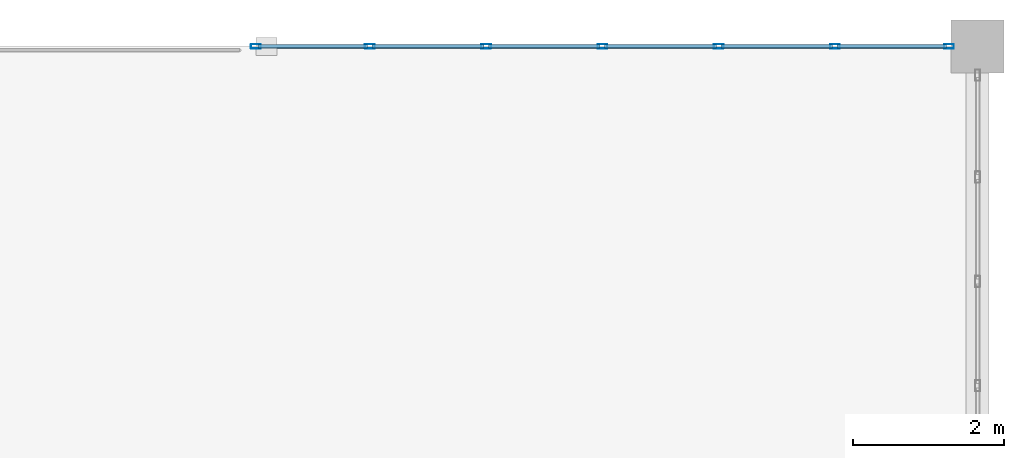
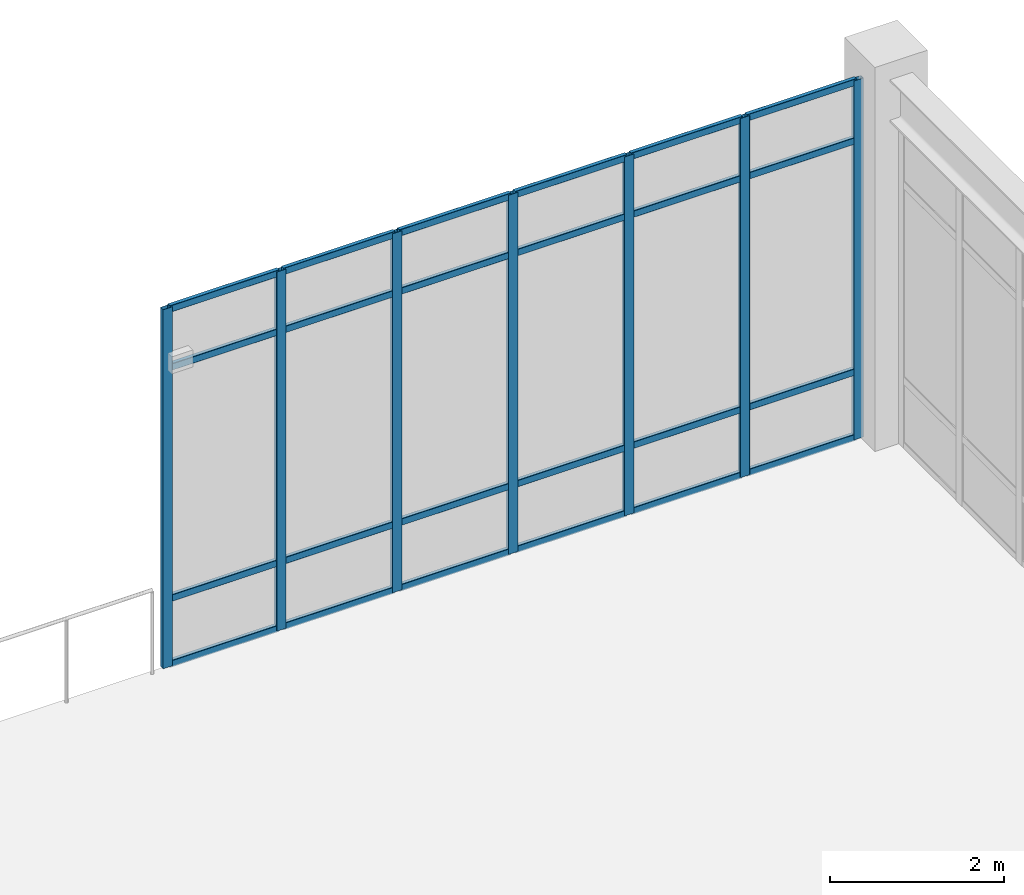
# One storey, part 53 of 80: 31 members, 1 element without a shape of its own.
"""IFC4 building model written with IfcOpenShell, lengths in metres."""

import ifcopenshell
import ifcopenshell.guid

model = None  # the IFC model being written
_history = None  # IfcOwnerHistory: only IFC2X3 demands one
_inside = {}  # id of a spatial element -> (the spatial element, [elements in it])
_under = {}  # id of a project, library or spatial element -> (it, [spatial elements below it])
_declared = {}  # id of a project -> (the project, [libraries it declares])
_typed = {}  # id of a type object -> (the type object, [elements of that type])
_made_of = {}  # id of a material, layer set ... -> (it, [elements and type objects made of it])


def new_model(schema):
    """Start an empty IFC model of exactly this schema.

    Asked for "IFC4X3", IfcOpenShell would pick the latest addendum, in which some entities
    have other attributes; the version numbers below select the first issue.
    IFC2X3 requires an IfcOwnerHistory on every rooted entity: one is made here for all.
    """
    global model, _history
    if schema == "IFC4X3":
        model = ifcopenshell.file(schema_version=(4, 3, 0, 0))
    else:
        model = ifcopenshell.file(schema=schema)
    _inside.clear()
    _under.clear()
    _declared.clear()
    _typed.clear()
    _made_of.clear()
    _history = None
    if model.schema == "IFC2X3":
        org = make("IfcOrganization", Name="unknown")
        user = make(
            "IfcPersonAndOrganization",
            ThePerson=make("IfcPerson", FamilyName="unknown"),
            TheOrganization=org,
        )
        app = make(
            "IfcApplication",
            ApplicationDeveloper=org,
            Version="unknown",
            ApplicationFullName="unknown",
            ApplicationIdentifier="unknown",
        )
        _history = make(
            "IfcOwnerHistory",
            OwningUser=user,
            OwningApplication=app,
            ChangeAction="ADDED",
            CreationDate=0,
        )
    return model


def make(cls, **values):
    """One entity of the class cls with the attributes given. An attribute that is None is left unset."""
    return model.create_entity(
        cls, **{name: value for name, value in values.items() if value is not None}
    )


def rooted(cls, **values):
    """An entity with a GlobalId (a new one), such as an element, a storey or a relation."""
    return make(cls, GlobalId=ifcopenshell.guid.new(), OwnerHistory=_history, **values)


def si_unit(unit_type, name, prefix=None):
    """IfcSIUnit, for example si_unit("LENGTHUNIT", "METRE", prefix="MILLI")."""
    return make("IfcSIUnit", UnitType=unit_type, Prefix=prefix, Name=name)


def assignment(units):
    """IfcUnitAssignment: the units of a project."""
    return None if units is None else make("IfcUnitAssignment", Units=units)


def point(xyz):
    """IfcCartesianPoint."""
    return None if xyz is None else make("IfcCartesianPoint", Coordinates=xyz)


def direction(xyz):
    """IfcDirection."""
    return None if xyz is None else make("IfcDirection", DirectionRatios=xyz)


def frame(location, z_axis=None, x_axis=None):
    """IfcAxis2Placement3D, a coordinate frame: its origin and axes. An axis left out is left unset."""
    return make(
        "IfcAxis2Placement3D",
        Location=point(location),
        Axis=direction(z_axis),
        RefDirection=direction(x_axis),
    )


def frame_2d(location, x_axis=None):
    """IfcAxis2Placement2D, a coordinate frame in the plane: its origin and x axis."""
    return make(
        "IfcAxis2Placement2D", Location=point(location), RefDirection=direction(x_axis)
    )


def origin():
    """The frame at (0, 0, 0) with its axes left unset."""
    return frame((0.0, 0.0, 0.0))


def origin_2d():
    """The frame at (0, 0) in the plane with its x axis left unset."""
    return frame_2d((0.0, 0.0))


def place(relative_to, where):
    """IfcLocalPlacement: puts the frame where relative to a parent placement (None: the world)."""
    return make(
        "IfcLocalPlacement", PlacementRelTo=relative_to, RelativePlacement=where
    )


def context(
    kind, dimensions, precision=None, world=None, true_north=None, identifier=None
):
    """IfcGeometricRepresentationContext, for example the 3D "Model" context."""
    return make(
        "IfcGeometricRepresentationContext",
        ContextIdentifier=identifier,
        ContextType=kind,
        CoordinateSpaceDimension=dimensions,
        Precision=precision,
        WorldCoordinateSystem=world,
        TrueNorth=true_north,
    )


def subcontext(parent, identifier, kind, view, scale=None):
    """IfcGeometricRepresentationSubContext, for example "Body" below "Model"."""
    return make(
        "IfcGeometricRepresentationSubContext",
        ContextIdentifier=identifier,
        ContextType=kind,
        ParentContext=parent,
        TargetScale=scale,
        TargetView=view,
    )


def project(units=None, contexts=None):
    """IfcProject with its units and contexts."""
    return rooted(
        "IfcProject",
        Name="project",
        RepresentationContexts=contexts,
        UnitsInContext=assignment(units),
    )


def spatial(cls, under=None, at=None, **own):
    """A site, building, storey or space (cls), placed at a placement, below another one or the project."""
    s = rooted(cls, ObjectPlacement=at, **own)
    if under is not None:
        _under.setdefault(under.id(), (under, []))[1].append(s)
    return s


def profile(cls, at=None, kind="AREA", **sizes):
    """A parametric profile (cls). Its sizes go by their IFC names, for example OverallWidth=200.0."""
    return make(cls, ProfileType=kind, Position=at, **sizes)


def hollow_rectangle(**sizes):
    """IfcRectangleHollowProfileDef."""
    return profile("IfcRectangleHollowProfileDef", **sizes)


def extrude(swept, where, along, depth):
    """IfcExtrudedAreaSolid: the profile swept, set in the frame where, extruded along a direction by depth."""
    return make(
        "IfcExtrudedAreaSolid",
        SweptArea=swept,
        Position=where,
        ExtrudedDirection=direction(along),
        Depth=depth,
    )


def shape(context_of_items, identifier, shape_type, items):
    """IfcShapeRepresentation: the items that make up one representation, for example the "Body"."""
    return make(
        "IfcShapeRepresentation",
        ContextOfItems=context_of_items,
        RepresentationIdentifier=identifier,
        RepresentationType=shape_type,
        Items=items,
    )


def material(Name=None, Category=None):
    """IfcMaterial."""
    return make("IfcMaterial", Name=Name, Category=Category)


def material_profile(
    of_material, cross_section, Name=None, Category=None, Priority=None
):
    """IfcMaterialProfile: a cross section and its material."""
    return make(
        "IfcMaterialProfile",
        Name=Name,
        Material=of_material,
        Profile=cross_section,
        Priority=Priority,
        Category=Category,
    )


def profile_set(profiles, Name=None, composite=None):
    """IfcMaterialProfileSet."""
    return make(
        "IfcMaterialProfileSet",
        Name=Name,
        MaterialProfiles=profiles,
        CompositeProfile=composite,
    )


def made_of(thing, what):
    """Note that an element or type object is made of a material, layer set ...; save() writes the relation."""
    if what is not None:
        _made_of.setdefault(what.id(), (what, []))[1].append(thing)
    return thing


def type_object(cls, material=None, **own):
    """A type object (cls), such as IfcWallType, which elements share."""
    return made_of(rooted(cls, **own), material)


def element(
    cls,
    number,
    at=None,
    inside=None,
    cuts=None,
    type_object=None,
    material=None,
    context=None,
    identifier="Body",
    shape_type=None,
    held_by="IfcProductDefinitionShape",
    body=None,
    shapes=None,
    **own,
):
    """One element of the class cls, such as IfcWall. Its Tag is "e" and its number.

    at: its placement. inside: the storey or other place that contains it. cuts: it is an
    opening in that element (IfcRelVoidsElement). A single representation is given by context,
    identifier, shape_type and body (its items); several are given by shapes. held_by: the class
    of the entity that holds the representations. save() writes the other relations.
    """
    e = rooted(cls, Tag="e%d" % number, ObjectPlacement=at, **own)
    if body is not None:
        shapes = [shape(context, identifier, shape_type, body)]
    if shapes is not None:
        e.Representation = make(held_by, Representations=shapes)
    if inside is not None:
        _inside.setdefault(inside.id(), (inside, []))[1].append(e)
    if cuts is not None:
        rooted(
            "IfcRelVoidsElement", RelatingBuildingElement=cuts, RelatedOpeningElement=e
        )
    if type_object is not None:
        _typed.setdefault(type_object.id(), (type_object, []))[1].append(e)
    return made_of(e, material)


def aggregate(whole, parts):
    """IfcRelAggregates: a whole, such as a stair, and the parts it consists of."""
    return rooted("IfcRelAggregates", RelatingObject=whole, RelatedObjects=parts)


def save(model, path):
    """Write the relations noted so far, then the file.

    IfcRelAggregates (storeys below a building ...), IfcRelContainedInSpatialStructure (elements
    in a storey), IfcRelDefinesByType, IfcRelAssociatesMaterial and IfcRelDeclares: one each for
    every whole, place, type object, material and project.
    """
    for whole, parts in _under.values():
        aggregate(whole, parts)
    for where, things in _inside.values():
        rooted(
            "IfcRelContainedInSpatialStructure",
            RelatedElements=things,
            RelatingStructure=where,
        )
    for kind, things in _typed.values():
        rooted("IfcRelDefinesByType", RelatedObjects=things, RelatingType=kind)
    for what, things in _made_of.values():
        rooted("IfcRelAssociatesMaterial", RelatedObjects=things, RelatingMaterial=what)
    for by, libraries in _declared.values():
        rooted("IfcRelDeclares", RelatingContext=by, RelatedDefinitions=libraries)
    model.write(path)


model = new_model("IFC4")

# Units and contexts
model_context = context("Model", 3, precision=1e-05, world=origin(), true_north=direction((0.0, 1.0)))
body_context = subcontext(model_context, "Body", "Model", "MODEL_VIEW")
ifc_project = project(units=[si_unit("LENGTHUNIT", "METRE"), si_unit("AREAUNIT", "SQUARE_METRE"), si_unit("VOLUMEUNIT", "CUBIC_METRE"), si_unit("PLANEANGLEUNIT", "RADIAN"), si_unit("MASSUNIT", "GRAM", prefix="KILO")], contexts=[model_context])

# Site, building, storey
site_placement = place(None, origin())
site = spatial("IfcSite", under=ifc_project, at=site_placement, CompositionType="ELEMENT")
building_placement = place(site_placement, origin())
building = spatial("IfcBuilding", under=site, at=building_placement, Name="Canglan Escarpment Cableway Terminal", CompositionType="ELEMENT")
storey_placement = place(building_placement, frame((0.0, 0.0, 19.199951171875)))
storey = spatial("IfcBuildingStorey", under=building, at=storey_placement, Name="L04", CompositionType="ELEMENT", Elevation=19.199951171875)

# Curtain wall, members
ifc_material_1 = material(Name="Anodized bronze aluminium and Low-E double glazing", Category="aluminium")
curtain_wall_type = type_object("IfcCurtainWallType", Name="CW-BAY-9250x5050", PredefinedType="NOTDEFINED", material=ifc_material_1)
curtain_wall_placement = place(storey_placement, origin())
curtain_wall = element("IfcCurtainWall", 1, at=curtain_wall_placement, inside=storey, type_object=curtain_wall_type, Name="Classical bay-between-piers glazed curtain wall CW-40", PredefinedType="NOTDEFINED")
ifc_material_2 = material(Name="Thermally broken anodized aluminium 6063-T6", Category="aluminium")
ifc_material_profile_1 = material_profile(ifc_material_2, hollow_rectangle(XDim=0.06005859375, YDim=0.1298828125, WallThickness=0.0029296875, InnerFilletRadius=0.0029296875, OuterFilletRadius=0.006103515625, at=origin_2d()), Name="ALU-MULL 60x130x3")
ifc_profile_set_1 = profile_set([ifc_material_profile_1], Name="Thermally broken anodized aluminium 6063-T6")
member_type_1 = type_object("IfcMemberType", Name="CWM-01", PredefinedType="MULLION", material=ifc_profile_set_1)
member_1_placement = place(storey_placement, frame((166.02001953125, 124.0, 0.0), z_axis=(0.0, 0.0, 1.0), x_axis=(0.0, -1.0, 0.0)))
member_1 = element("IfcMember", 2, at=member_1_placement, type_object=member_type_1, Name="CW-40 mullion 1", PredefinedType="MULLION", context=body_context, shape_type="SweptSolid", body=[
    extrude(hollow_rectangle(XDim=0.06005859375, YDim=0.1298828125, WallThickness=0.0029296875, InnerFilletRadius=0.0029296875, OuterFilletRadius=0.006103515625, at=origin_2d()), origin(), (0.0, 0.0, 1.0), 5.050048828125),
])
member_2_placement = place(storey_placement, frame((164.50830078125, 124.0, 0.0), z_axis=(0.0, 0.0, 1.0), x_axis=(0.0, -1.0, 0.0)))
member_2 = element("IfcMember", 3, at=member_2_placement, type_object=member_type_1, Name="CW-40 mullion 2", PredefinedType="MULLION", context=body_context, shape_type="SweptSolid", body=[
    extrude(hollow_rectangle(XDim=0.06005859375, YDim=0.1298828125, WallThickness=0.0029296875, InnerFilletRadius=0.0029296875, OuterFilletRadius=0.006103515625, at=origin_2d()), origin(), (0.0, 0.0, 1.0), 5.050048828125),
])
member_3_placement = place(storey_placement, frame((162.966552734375, 124.0, 0.0), z_axis=(0.0, 0.0, 1.0), x_axis=(0.0, -1.0, 0.0)))
member_3 = element("IfcMember", 4, at=member_3_placement, type_object=member_type_1, Name="CW-40 mullion 3", PredefinedType="MULLION", context=body_context, shape_type="SweptSolid", body=[
    extrude(hollow_rectangle(XDim=0.06005859375, YDim=0.1298828125, WallThickness=0.0029296875, InnerFilletRadius=0.0029296875, OuterFilletRadius=0.006103515625, at=origin_2d()), origin(), (0.0, 0.0, 1.0), 5.050048828125),
])
member_4_placement = place(storey_placement, frame((161.425048828125, 124.0, 0.0), z_axis=(0.0, 0.0, 1.0), x_axis=(0.0, -1.0, 0.0)))
member_4 = element("IfcMember", 5, at=member_4_placement, type_object=member_type_1, Name="CW-40 mullion 4", PredefinedType="MULLION", context=body_context, shape_type="SweptSolid", body=[
    extrude(hollow_rectangle(XDim=0.06005859375, YDim=0.1298828125, WallThickness=0.0029296875, InnerFilletRadius=0.0029296875, OuterFilletRadius=0.006103515625, at=origin_2d()), origin(), (0.0, 0.0, 1.0), 5.050048828125),
])
member_5_placement = place(storey_placement, frame((159.88330078125, 124.0, 0.0), z_axis=(0.0, 0.0, 1.0), x_axis=(0.0, -1.0, 0.0)))
member_5 = element("IfcMember", 6, at=member_5_placement, type_object=member_type_1, Name="CW-40 mullion 5", PredefinedType="MULLION", context=body_context, shape_type="SweptSolid", body=[
    extrude(hollow_rectangle(XDim=0.06005859375, YDim=0.1298828125, WallThickness=0.0029296875, InnerFilletRadius=0.0029296875, OuterFilletRadius=0.006103515625, at=origin_2d()), origin(), (0.0, 0.0, 1.0), 5.050048828125),
])
member_6_placement = place(storey_placement, frame((158.341552734375, 124.0, 0.0), z_axis=(0.0, 0.0, 1.0), x_axis=(0.0, -1.0, 0.0)))
member_6 = element("IfcMember", 7, at=member_6_placement, type_object=member_type_1, Name="CW-40 mullion 6", PredefinedType="MULLION", context=body_context, shape_type="SweptSolid", body=[
    extrude(hollow_rectangle(XDim=0.06005859375, YDim=0.1298828125, WallThickness=0.0029296875, InnerFilletRadius=0.0029296875, OuterFilletRadius=0.006103515625, at=origin_2d()), origin(), (0.0, 0.0, 1.0), 5.050048828125),
])
member_7_placement = place(storey_placement, frame((156.830078125, 124.0, 0.0), z_axis=(0.0, 0.0, 1.0), x_axis=(0.0, -1.0, 0.0)))
member_7 = element("IfcMember", 8, at=member_7_placement, type_object=member_type_1, Name="CW-40 mullion 7", PredefinedType="MULLION", context=body_context, shape_type="SweptSolid", body=[
    extrude(hollow_rectangle(XDim=0.06005859375, YDim=0.1298828125, WallThickness=0.0029296875, InnerFilletRadius=0.0029296875, OuterFilletRadius=0.006103515625, at=origin_2d()), origin(), (0.0, 0.0, 1.0), 5.050048828125),
])
ifc_material_profile_2 = material_profile(ifc_material_2, hollow_rectangle(XDim=0.054931640625, YDim=0.094970703125, WallThickness=0.0029296875, InnerFilletRadius=0.0029296875, OuterFilletRadius=0.006103515625, at=origin_2d()), Name="ALU-TRAN 55x95x3")
ifc_profile_set_2 = profile_set([ifc_material_profile_2], Name="Thermally broken anodized aluminium 6063-T6")
member_type_2 = type_object("IfcMemberType", Name="CWT-01", PredefinedType="USERDEFINED", material=ifc_profile_set_2)
member_8_placement = place(storey_placement, frame((165.989990234375, 124.0, 0.027587890625), z_axis=(-1.0, 0.0, 0.0), x_axis=(0.0, -1.0, 0.0)))
member_8 = element("IfcMember", 9, at=member_8_placement, type_object=member_type_2, Name="CW-40 transom 1.1", ObjectType="TRANSOM", PredefinedType="USERDEFINED", context=body_context, shape_type="SweptSolid", body=[
    extrude(hollow_rectangle(XDim=0.054931640625, YDim=0.094970703125, WallThickness=0.0029296875, InnerFilletRadius=0.0029296875, OuterFilletRadius=0.006103515625, at=origin_2d()), origin(), (0.0, 0.0, 1.0), 1.45166015625),
])
member_9_placement = place(storey_placement, frame((165.989990234375, 124.0, 0.949951171875), z_axis=(-1.0, 0.0, 0.0), x_axis=(0.0, -1.0, 0.0)))
member_9 = element("IfcMember", 10, at=member_9_placement, type_object=member_type_2, Name="CW-40 transom 1.2", ObjectType="TRANSOM", PredefinedType="USERDEFINED", context=body_context, shape_type="SweptSolid", body=[
    extrude(hollow_rectangle(XDim=0.054931640625, YDim=0.094970703125, WallThickness=0.0029296875, InnerFilletRadius=0.0029296875, OuterFilletRadius=0.006103515625, at=origin_2d()), origin(), (0.0, 0.0, 1.0), 1.45166015625),
])
member_10_placement = place(storey_placement, frame((165.989990234375, 124.0, 4.199951171875), z_axis=(-1.0, 0.0, 0.0), x_axis=(0.0, -1.0, 0.0)))
member_10 = element("IfcMember", 11, at=member_10_placement, type_object=member_type_2, Name="CW-40 transom 1.3", ObjectType="TRANSOM", PredefinedType="USERDEFINED", context=body_context, shape_type="SweptSolid", body=[
    extrude(hollow_rectangle(XDim=0.054931640625, YDim=0.094970703125, WallThickness=0.0029296875, InnerFilletRadius=0.0029296875, OuterFilletRadius=0.006103515625, at=origin_2d()), origin(), (0.0, 0.0, 1.0), 1.45166015625),
])
member_11_placement = place(storey_placement, frame((165.989990234375, 124.0, 5.0224609375), z_axis=(-1.0, 0.0, 0.0), x_axis=(0.0, -1.0, 0.0)))
member_11 = element("IfcMember", 12, at=member_11_placement, type_object=member_type_2, Name="CW-40 transom 1.4", ObjectType="TRANSOM", PredefinedType="USERDEFINED", context=body_context, shape_type="SweptSolid", body=[
    extrude(hollow_rectangle(XDim=0.054931640625, YDim=0.094970703125, WallThickness=0.0029296875, InnerFilletRadius=0.0029296875, OuterFilletRadius=0.006103515625, at=origin_2d()), origin(), (0.0, 0.0, 1.0), 1.45166015625),
])
member_12_placement = place(storey_placement, frame((164.478271484375, 124.0, 0.027587890625), z_axis=(-1.0, 0.0, 0.0), x_axis=(0.0, -1.0, 0.0)))
member_12 = element("IfcMember", 13, at=member_12_placement, type_object=member_type_2, Name="CW-40 transom 2.1", ObjectType="TRANSOM", PredefinedType="USERDEFINED", context=body_context, shape_type="SweptSolid", body=[
    extrude(hollow_rectangle(XDim=0.054931640625, YDim=0.094970703125, WallThickness=0.0029296875, InnerFilletRadius=0.0029296875, OuterFilletRadius=0.006103515625, at=origin_2d()), origin(), (0.0, 0.0, 1.0), 1.481689453125),
])
member_13_placement = place(storey_placement, frame((164.478271484375, 124.0, 0.949951171875), z_axis=(-1.0, 0.0, 0.0), x_axis=(0.0, -1.0, 0.0)))
member_13 = element("IfcMember", 14, at=member_13_placement, type_object=member_type_2, Name="CW-40 transom 2.2", ObjectType="TRANSOM", PredefinedType="USERDEFINED", context=body_context, shape_type="SweptSolid", body=[
    extrude(hollow_rectangle(XDim=0.054931640625, YDim=0.094970703125, WallThickness=0.0029296875, InnerFilletRadius=0.0029296875, OuterFilletRadius=0.006103515625, at=origin_2d()), origin(), (0.0, 0.0, 1.0), 1.481689453125),
])
member_14_placement = place(storey_placement, frame((164.478271484375, 124.0, 4.199951171875), z_axis=(-1.0, 0.0, 0.0), x_axis=(0.0, -1.0, 0.0)))
member_14 = element("IfcMember", 15, at=member_14_placement, type_object=member_type_2, Name="CW-40 transom 2.3", ObjectType="TRANSOM", PredefinedType="USERDEFINED", context=body_context, shape_type="SweptSolid", body=[
    extrude(hollow_rectangle(XDim=0.054931640625, YDim=0.094970703125, WallThickness=0.0029296875, InnerFilletRadius=0.0029296875, OuterFilletRadius=0.006103515625, at=origin_2d()), origin(), (0.0, 0.0, 1.0), 1.481689453125),
])
member_15_placement = place(storey_placement, frame((164.478271484375, 124.0, 5.0224609375), z_axis=(-1.0, 0.0, 0.0), x_axis=(0.0, -1.0, 0.0)))
member_15 = element("IfcMember", 16, at=member_15_placement, type_object=member_type_2, Name="CW-40 transom 2.4", ObjectType="TRANSOM", PredefinedType="USERDEFINED", context=body_context, shape_type="SweptSolid", body=[
    extrude(hollow_rectangle(XDim=0.054931640625, YDim=0.094970703125, WallThickness=0.0029296875, InnerFilletRadius=0.0029296875, OuterFilletRadius=0.006103515625, at=origin_2d()), origin(), (0.0, 0.0, 1.0), 1.481689453125),
])
member_16_placement = place(storey_placement, frame((162.936767578125, 124.0, 0.027587890625), z_axis=(-1.0, 0.0, 0.0), x_axis=(0.0, -1.0, 0.0)))
member_16 = element("IfcMember", 17, at=member_16_placement, type_object=member_type_2, Name="CW-40 transom 3.1", ObjectType="TRANSOM", PredefinedType="USERDEFINED", context=body_context, shape_type="SweptSolid", body=[
    extrude(hollow_rectangle(XDim=0.054931640625, YDim=0.094970703125, WallThickness=0.0029296875, InnerFilletRadius=0.0029296875, OuterFilletRadius=0.006103515625, at=origin_2d()), origin(), (0.0, 0.0, 1.0), 1.481689453125),
])
member_17_placement = place(storey_placement, frame((162.936767578125, 124.0, 0.949951171875), z_axis=(-1.0, 0.0, 0.0), x_axis=(0.0, -1.0, 0.0)))
member_17 = element("IfcMember", 18, at=member_17_placement, type_object=member_type_2, Name="CW-40 transom 3.2", ObjectType="TRANSOM", PredefinedType="USERDEFINED", context=body_context, shape_type="SweptSolid", body=[
    extrude(hollow_rectangle(XDim=0.054931640625, YDim=0.094970703125, WallThickness=0.0029296875, InnerFilletRadius=0.0029296875, OuterFilletRadius=0.006103515625, at=origin_2d()), origin(), (0.0, 0.0, 1.0), 1.481689453125),
])
member_18_placement = place(storey_placement, frame((162.936767578125, 124.0, 4.199951171875), z_axis=(-1.0, 0.0, 0.0), x_axis=(0.0, -1.0, 0.0)))
member_18 = element("IfcMember", 19, at=member_18_placement, type_object=member_type_2, Name="CW-40 transom 3.3", ObjectType="TRANSOM", PredefinedType="USERDEFINED", context=body_context, shape_type="SweptSolid", body=[
    extrude(hollow_rectangle(XDim=0.054931640625, YDim=0.094970703125, WallThickness=0.0029296875, InnerFilletRadius=0.0029296875, OuterFilletRadius=0.006103515625, at=origin_2d()), origin(), (0.0, 0.0, 1.0), 1.481689453125),
])
member_19_placement = place(storey_placement, frame((162.936767578125, 124.0, 5.0224609375), z_axis=(-1.0, 0.0, 0.0), x_axis=(0.0, -1.0, 0.0)))
member_19 = element("IfcMember", 20, at=member_19_placement, type_object=member_type_2, Name="CW-40 transom 3.4", ObjectType="TRANSOM", PredefinedType="USERDEFINED", context=body_context, shape_type="SweptSolid", body=[
    extrude(hollow_rectangle(XDim=0.054931640625, YDim=0.094970703125, WallThickness=0.0029296875, InnerFilletRadius=0.0029296875, OuterFilletRadius=0.006103515625, at=origin_2d()), origin(), (0.0, 0.0, 1.0), 1.481689453125),
])
member_20_placement = place(storey_placement, frame((161.39501953125, 124.0, 0.027587890625), z_axis=(-1.0, 0.0, 0.0), x_axis=(0.0, -1.0, 0.0)))
member_20 = element("IfcMember", 21, at=member_20_placement, type_object=member_type_2, Name="CW-40 transom 4.1", ObjectType="TRANSOM", PredefinedType="USERDEFINED", context=body_context, shape_type="SweptSolid", body=[
    extrude(hollow_rectangle(XDim=0.054931640625, YDim=0.094970703125, WallThickness=0.0029296875, InnerFilletRadius=0.0029296875, OuterFilletRadius=0.006103515625, at=origin_2d()), origin(), (0.0, 0.0, 1.0), 1.481689453125),
])
member_21_placement = place(storey_placement, frame((161.39501953125, 124.0, 0.949951171875), z_axis=(-1.0, 0.0, 0.0), x_axis=(0.0, -1.0, 0.0)))
member_21 = element("IfcMember", 22, at=member_21_placement, type_object=member_type_2, Name="CW-40 transom 4.2", ObjectType="TRANSOM", PredefinedType="USERDEFINED", context=body_context, shape_type="SweptSolid", body=[
    extrude(hollow_rectangle(XDim=0.054931640625, YDim=0.094970703125, WallThickness=0.0029296875, InnerFilletRadius=0.0029296875, OuterFilletRadius=0.006103515625, at=origin_2d()), origin(), (0.0, 0.0, 1.0), 1.481689453125),
])
member_22_placement = place(storey_placement, frame((161.39501953125, 124.0, 4.199951171875), z_axis=(-1.0, 0.0, 0.0), x_axis=(0.0, -1.0, 0.0)))
member_22 = element("IfcMember", 23, at=member_22_placement, type_object=member_type_2, Name="CW-40 transom 4.3", ObjectType="TRANSOM", PredefinedType="USERDEFINED", context=body_context, shape_type="SweptSolid", body=[
    extrude(hollow_rectangle(XDim=0.054931640625, YDim=0.094970703125, WallThickness=0.0029296875, InnerFilletRadius=0.0029296875, OuterFilletRadius=0.006103515625, at=origin_2d()), origin(), (0.0, 0.0, 1.0), 1.481689453125),
])
member_23_placement = place(storey_placement, frame((161.39501953125, 124.0, 5.0224609375), z_axis=(-1.0, 0.0, 0.0), x_axis=(0.0, -1.0, 0.0)))
member_23 = element("IfcMember", 24, at=member_23_placement, type_object=member_type_2, Name="CW-40 transom 4.4", ObjectType="TRANSOM", PredefinedType="USERDEFINED", context=body_context, shape_type="SweptSolid", body=[
    extrude(hollow_rectangle(XDim=0.054931640625, YDim=0.094970703125, WallThickness=0.0029296875, InnerFilletRadius=0.0029296875, OuterFilletRadius=0.006103515625, at=origin_2d()), origin(), (0.0, 0.0, 1.0), 1.481689453125),
])
member_24_placement = place(storey_placement, frame((159.853271484375, 124.0, 0.027587890625), z_axis=(-1.0, 0.0, 0.0), x_axis=(0.0, -1.0, 0.0)))
member_24 = element("IfcMember", 25, at=member_24_placement, type_object=member_type_2, Name="CW-40 transom 5.1", ObjectType="TRANSOM", PredefinedType="USERDEFINED", context=body_context, shape_type="SweptSolid", body=[
    extrude(hollow_rectangle(XDim=0.054931640625, YDim=0.094970703125, WallThickness=0.0029296875, InnerFilletRadius=0.0029296875, OuterFilletRadius=0.006103515625, at=origin_2d()), origin(), (0.0, 0.0, 1.0), 1.481689453125),
])
member_25_placement = place(storey_placement, frame((159.853271484375, 124.0, 0.949951171875), z_axis=(-1.0, 0.0, 0.0), x_axis=(0.0, -1.0, 0.0)))
member_25 = element("IfcMember", 26, at=member_25_placement, type_object=member_type_2, Name="CW-40 transom 5.2", ObjectType="TRANSOM", PredefinedType="USERDEFINED", context=body_context, shape_type="SweptSolid", body=[
    extrude(hollow_rectangle(XDim=0.054931640625, YDim=0.094970703125, WallThickness=0.0029296875, InnerFilletRadius=0.0029296875, OuterFilletRadius=0.006103515625, at=origin_2d()), origin(), (0.0, 0.0, 1.0), 1.481689453125),
])
member_26_placement = place(storey_placement, frame((159.853271484375, 124.0, 4.199951171875), z_axis=(-1.0, 0.0, 0.0), x_axis=(0.0, -1.0, 0.0)))
member_26 = element("IfcMember", 27, at=member_26_placement, type_object=member_type_2, Name="CW-40 transom 5.3", ObjectType="TRANSOM", PredefinedType="USERDEFINED", context=body_context, shape_type="SweptSolid", body=[
    extrude(hollow_rectangle(XDim=0.054931640625, YDim=0.094970703125, WallThickness=0.0029296875, InnerFilletRadius=0.0029296875, OuterFilletRadius=0.006103515625, at=origin_2d()), origin(), (0.0, 0.0, 1.0), 1.481689453125),
])
member_27_placement = place(storey_placement, frame((159.853271484375, 124.0, 5.0224609375), z_axis=(-1.0, 0.0, 0.0), x_axis=(0.0, -1.0, 0.0)))
member_27 = element("IfcMember", 28, at=member_27_placement, type_object=member_type_2, Name="CW-40 transom 5.4", ObjectType="TRANSOM", PredefinedType="USERDEFINED", context=body_context, shape_type="SweptSolid", body=[
    extrude(hollow_rectangle(XDim=0.054931640625, YDim=0.094970703125, WallThickness=0.0029296875, InnerFilletRadius=0.0029296875, OuterFilletRadius=0.006103515625, at=origin_2d()), origin(), (0.0, 0.0, 1.0), 1.481689453125),
])
member_28_placement = place(storey_placement, frame((158.311767578125, 124.0, 0.027587890625), z_axis=(-1.0, 0.0, 0.0), x_axis=(0.0, -1.0, 0.0)))
member_28 = element("IfcMember", 29, at=member_28_placement, type_object=member_type_2, Name="CW-40 transom 6.1", ObjectType="TRANSOM", PredefinedType="USERDEFINED", context=body_context, shape_type="SweptSolid", body=[
    extrude(hollow_rectangle(XDim=0.054931640625, YDim=0.094970703125, WallThickness=0.0029296875, InnerFilletRadius=0.0029296875, OuterFilletRadius=0.006103515625, at=origin_2d()), origin(), (0.0, 0.0, 1.0), 1.45166015625),
])
member_29_placement = place(storey_placement, frame((158.311767578125, 124.0, 0.949951171875), z_axis=(-1.0, 0.0, 0.0), x_axis=(0.0, -1.0, 0.0)))
member_29 = element("IfcMember", 30, at=member_29_placement, type_object=member_type_2, Name="CW-40 transom 6.2", ObjectType="TRANSOM", PredefinedType="USERDEFINED", context=body_context, shape_type="SweptSolid", body=[
    extrude(hollow_rectangle(XDim=0.054931640625, YDim=0.094970703125, WallThickness=0.0029296875, InnerFilletRadius=0.0029296875, OuterFilletRadius=0.006103515625, at=origin_2d()), origin(), (0.0, 0.0, 1.0), 1.45166015625),
])
member_30_placement = place(storey_placement, frame((158.311767578125, 124.0, 4.199951171875), z_axis=(-1.0, 0.0, 0.0), x_axis=(0.0, -1.0, 0.0)))
member_30 = element("IfcMember", 31, at=member_30_placement, type_object=member_type_2, Name="CW-40 transom 6.3", ObjectType="TRANSOM", PredefinedType="USERDEFINED", context=body_context, shape_type="SweptSolid", body=[
    extrude(hollow_rectangle(XDim=0.054931640625, YDim=0.094970703125, WallThickness=0.0029296875, InnerFilletRadius=0.0029296875, OuterFilletRadius=0.006103515625, at=origin_2d()), origin(), (0.0, 0.0, 1.0), 1.45166015625),
])
member_31_placement = place(storey_placement, frame((158.311767578125, 124.0, 5.0224609375), z_axis=(-1.0, 0.0, 0.0), x_axis=(0.0, -1.0, 0.0)))
member_31 = element("IfcMember", 32, at=member_31_placement, type_object=member_type_2, Name="CW-40 transom 6.4", ObjectType="TRANSOM", PredefinedType="USERDEFINED", context=body_context, shape_type="SweptSolid", body=[
    extrude(hollow_rectangle(XDim=0.054931640625, YDim=0.094970703125, WallThickness=0.0029296875, InnerFilletRadius=0.0029296875, OuterFilletRadius=0.006103515625, at=origin_2d()), origin(), (0.0, 0.0, 1.0), 1.45166015625),
])
aggregate(curtain_wall, [member_1, member_2, member_3, member_4, member_5, member_6, member_7, member_8, member_9, member_10, member_11, member_12, member_13, member_14, member_15, member_16, member_17, member_18, member_19, member_20, member_21, member_22, member_23, member_24, member_25, member_26, member_27, member_28, member_29, member_30, member_31])

save(model, "model.ifc")
